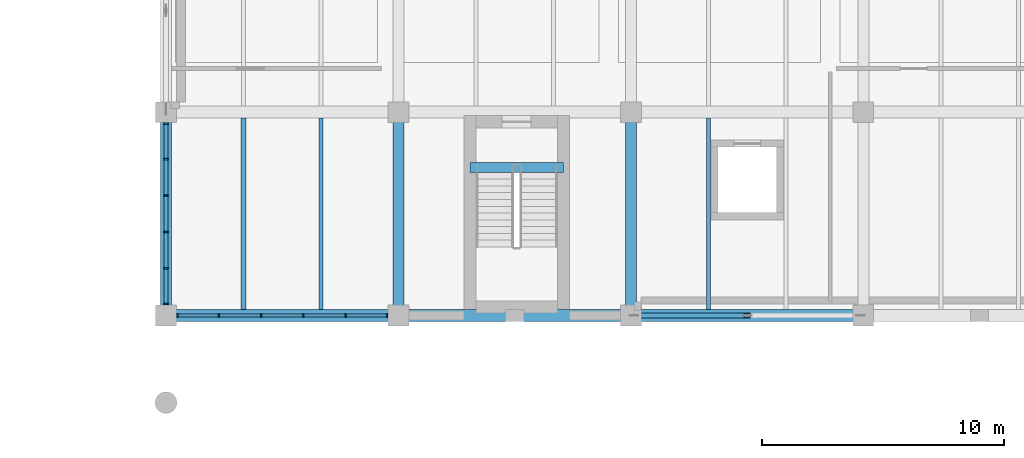
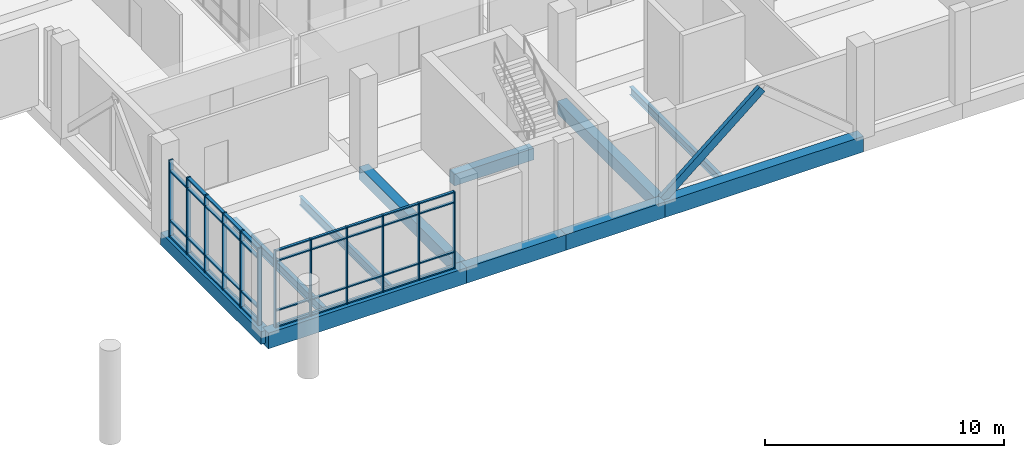
# One storey, part 42 of 152: 52 members, 11 beams, 2 elements without a shape of their own.
"""IFC4 building model written with IfcOpenShell, lengths in metres."""

from ifc_helpers import new_model, si_unit, direction, frame, origin, origin_2d, place, context, subcontext, project, spatial, rectangle, hollow_rectangle, i_section, extrude, material, material_profile, profile_set, type_object, element, aggregate, save


model = new_model("IFC4")

# Units and contexts
model_context = context("Model", 3, precision=1e-05, world=origin(), true_north=direction((0.0, 1.0)))
body_context = subcontext(model_context, "Body", "Model", "MODEL_VIEW")
ifc_project = project(units=[si_unit("LENGTHUNIT", "METRE"), si_unit("AREAUNIT", "SQUARE_METRE"), si_unit("VOLUMEUNIT", "CUBIC_METRE"), si_unit("PLANEANGLEUNIT", "RADIAN"), si_unit("MASSUNIT", "GRAM", prefix="KILO")], contexts=[model_context])

# Site, building, storey
site_placement = place(None, origin())
site = spatial("IfcSite", under=ifc_project, at=site_placement, CompositionType="ELEMENT")
building_placement = place(site_placement, origin())
building = spatial("IfcBuilding", under=site, at=building_placement, Name="Oolite Switchyard Hospital", CompositionType="ELEMENT")
storey_placement = place(building_placement, frame((0.0, 0.0, 5.10009765625)))
storey = spatial("IfcBuildingStorey", under=building, at=storey_placement, Name="L01", CompositionType="ELEMENT", Elevation=5.10009765625)

# Beams
ifc_material_1 = material(Name="Concrete C40/50", Category="concrete")
ifc_material_profile_1 = material_profile(ifc_material_1, rectangle(XDim=0.39990234375, YDim=0.60009765625, at=origin_2d()), Name="RCB400X600")
ifc_profile_set_1 = profile_set([ifc_material_profile_1], Name="Concrete C40/50")
beam_type_1 = type_object("IfcBeamType", Name="BM-RC400X600", PredefinedType="BEAM", material=ifc_profile_set_1)
beam_1_placement = place(storey_placement, frame((146.949951171875, 14.510009765625, -0.300048828125), z_axis=(1.0, 0.0, 0.0), x_axis=(0.0, 1.0, 0.0)))
element("IfcBeam", 1, at=beam_1_placement, inside=storey, type_object=beam_type_1, Name="L01 ST-05 Stair Throat Trimmer Beam", PredefinedType="BEAM", context=body_context, shape_type="SweptSolid", body=[
    extrude(rectangle(XDim=0.39990234375, YDim=0.60009765625, at=origin_2d()), origin(), (0.0, 0.0, 1.0), 3.860107421875),
])
ifc_material_profile_2 = material_profile(ifc_material_1, rectangle(XDim=0.449951171875, YDim=0.64990234375, at=origin_2d()), Name="RCB450X650")
ifc_profile_set_2 = profile_set([ifc_material_profile_2], Name="Concrete C40/50")
beam_type_2 = type_object("IfcBeamType", Name="BM-RC450X650", PredefinedType="BEAM", material=ifc_profile_set_2)
for number, where, z_axis, x_axis, name in (
    (2, (134.39990234375, 8.39990234375, -0.3251953125), (0.0, 1.0, 0.0), (-1.0, 0.0, 0.0), "L01 Y-Girder 444"),
    (3, (144.0, 8.39990234375, -0.3251953125), (0.0, 1.0, 0.0), (-1.0, 0.0, 0.0), "L01 Y-Girder 459"),
    (4, (153.60009765625, 8.39990234375, -0.3251953125), (0.0, 1.0, 0.0), (-1.0, 0.0, 0.0), "L01 Y-Girder 476"),
):
    element("IfcBeam", number, at=place(storey_placement, frame(where, z_axis=z_axis, x_axis=x_axis)), inside=storey, type_object=beam_type_2, Name=name, PredefinedType="BEAM", context=body_context, shape_type="SweptSolid", body=[
        extrude(rectangle(XDim=0.449951171875, YDim=0.64990234375, at=origin_2d()), origin(), (0.0, 0.0, 1.0), 8.400146484375),
    ])
ifc_material_profile_3 = material_profile(ifc_material_1, rectangle(XDim=0.5, YDim=0.800048828125, at=origin_2d()), Name="RCB500X800")
ifc_profile_set_3 = profile_set([ifc_material_profile_3], Name="Concrete C40/50")
beam_type_3 = type_object("IfcBeamType", Name="BM-RC500X800", PredefinedType="BEAM", material=ifc_profile_set_3)
beam_2_placement = place(storey_placement, frame((134.39990234375, 8.39990234375, -0.400146484375), z_axis=(1.0, 0.0, 0.0), x_axis=(0.0, 1.0, 0.0)))
element("IfcBeam", 5, at=beam_2_placement, inside=storey, type_object=beam_type_3, Name="L01 X-Girder 15", PredefinedType="BEAM", context=body_context, shape_type="SweptSolid", body=[
    extrude(rectangle(XDim=0.5, YDim=0.800048828125, at=origin_2d()), origin(), (0.0, 0.0, 1.0), 9.60009765625),
])
for number, where, z_axis, x_axis, name in (
    (6, (144.0, 8.39990234375, -0.400146484375), (1.0, 0.0, 0.0), (0.0, 1.0, 0.0), "L01 X-Girder 16"),
    (7, (148.800048828125, 8.39990234375, -0.400146484375), (1.0, 0.0, 0.0), (0.0, 1.0, 0.0), "L01 X-Girder 17"),
):
    element("IfcBeam", number, at=place(storey_placement, frame(where, z_axis=z_axis, x_axis=x_axis)), inside=storey, type_object=beam_type_3, Name=name, PredefinedType="BEAM", context=body_context, shape_type="SweptSolid", body=[
        extrude(rectangle(XDim=0.5, YDim=0.800048828125, at=origin_2d()), origin(), (0.0, 0.0, 1.0), 4.800048828125),
    ])
beam_3_placement = place(storey_placement, frame((153.60009765625, 8.39990234375, -0.400146484375), z_axis=(1.0, 0.0, 0.0), x_axis=(0.0, 1.0, 0.0)))
element("IfcBeam", 8, at=beam_3_placement, inside=storey, type_object=beam_type_3, Name="L01 X-Girder 18", PredefinedType="BEAM", context=body_context, shape_type="SweptSolid", body=[
    extrude(rectangle(XDim=0.5, YDim=0.800048828125, at=origin_2d()), origin(), (0.0, 0.0, 1.0), 9.599853515625),
])
ifc_material_2 = material(Name="Steel ASTM A992 Grade 50", Category="steel")
ifc_material_profile_4 = material_profile(ifc_material_2, i_section(OverallWidth=0.179931640625, OverallDepth=0.4130859375, WebThickness=0.010009765625, FlangeThickness=0.01611328125, at=origin_2d()), Name="W16X50")
ifc_profile_set_4 = profile_set([ifc_material_profile_4], Name="Steel ASTM A992 Grade 50")
beam_type_4 = type_object("IfcBeamType", Name="BM-W16X50", PredefinedType="JOIST", material=ifc_profile_set_4)
beam_4_placement = place(storey_placement, frame((156.800048828125, 8.64990234375, -0.482177734375), z_axis=(0.0, 1.0, 0.0), x_axis=(-1.0, 0.0, 0.0)))
element("IfcBeam", 9, at=beam_4_placement, inside=storey, type_object=beam_type_4, Name="L01 Secondary Steel Joist 872", PredefinedType="JOIST", context=body_context, shape_type="SweptSolid", body=[
    extrude(i_section(OverallWidth=0.179931640625, OverallDepth=0.4130859375, WebThickness=0.010009765625, FlangeThickness=0.01611328125, at=origin_2d()), origin(), (0.0, 0.0, 1.0), 7.900146484375),
])
ifc_material_profile_5 = material_profile(ifc_material_2, i_section(OverallWidth=0.153076171875, OverallDepth=0.455078125, WebThickness=0.008056640625, FlangeThickness=0.012939453125, at=origin_2d()), Name="W18X40")
ifc_profile_set_5 = profile_set([ifc_material_profile_5], Name="Steel ASTM A992 Grade 50")
beam_type_5 = type_object("IfcBeamType", Name="BM-W18X40", PredefinedType="JOIST", material=ifc_profile_set_5)
beam_5_placement = place(storey_placement, frame((140.800048828125, 8.64990234375, -0.503173828125), z_axis=(0.0, 1.0, 0.0), x_axis=(-1.0, 0.0, 0.0)))
element("IfcBeam", 10, at=beam_5_placement, inside=storey, type_object=beam_type_5, Name="L01 Secondary Steel Joist 823", PredefinedType="JOIST", context=body_context, shape_type="SweptSolid", body=[
    extrude(i_section(OverallWidth=0.153076171875, OverallDepth=0.455078125, WebThickness=0.008056640625, FlangeThickness=0.012939453125, at=origin_2d()), origin(), (0.0, 0.0, 1.0), 7.900146484375),
])
ifc_material_profile_6 = material_profile(ifc_material_2, i_section(OverallWidth=0.19091796875, OverallDepth=0.4599609375, WebThickness=0.010009765625, FlangeThickness=0.01611328125, at=origin_2d()), Name="W18X55")
ifc_profile_set_6 = profile_set([ifc_material_profile_6], Name="Steel ASTM A992 Grade 50")
beam_type_6 = type_object("IfcBeamType", Name="BM-W18X55", PredefinedType="JOIST", material=ifc_profile_set_6)
beam_6_placement = place(storey_placement, frame((137.60009765625, 8.64990234375, -0.505126953125), z_axis=(0.0, 1.0, 0.0), x_axis=(-1.0, 0.0, 0.0)))
element("IfcBeam", 11, at=beam_6_placement, inside=storey, type_object=beam_type_6, Name="L01 Secondary Steel Joist 822", PredefinedType="JOIST", context=body_context, shape_type="SweptSolid", body=[
    extrude(i_section(OverallWidth=0.19091796875, OverallDepth=0.4599609375, WebThickness=0.010009765625, FlangeThickness=0.01611328125, at=origin_2d()), origin(), (0.0, 0.0, 1.0), 7.900146484375),
])

# Curtain wall, members
ifc_material_3 = material(Name="Thermally broken aluminum frame with laminated impact glazing", Category="aluminium")
curtain_wall_type_1 = type_object("IfcCurtainWallType", Name="CW-UNIT-96X48", PredefinedType="USERDEFINED", material=ifc_material_3)
curtain_wall_1_placement = place(storey_placement, origin())
curtain_wall_1 = element("IfcCurtainWall", 12, at=curtain_wall_1_placement, inside=storey, type_object=curtain_wall_type_1, Name="L01 Unitised Curtain Wall 98", ObjectType="UNITISED", PredefinedType="USERDEFINED")
ifc_material_4 = material(Name="Aluminium 6063-T6", Category="aluminium")
ifc_material_profile_7 = material_profile(ifc_material_4, rectangle(XDim=0.159912109375, YDim=0.06005859375, at=origin_2d()), Name="CWM60X160")
ifc_profile_set_7 = profile_set([ifc_material_profile_7], Name="Aluminium 6063-T6")
member_type_1 = type_object("IfcMemberType", Name="CW-MUL-180", PredefinedType="MULLION", material=ifc_profile_set_7)
member_1_placement = place(storey_placement, frame((143.530029296875, 8.39990234375, 0.0), z_axis=(0.0, 0.0, 1.0), x_axis=(0.0, -1.0, 0.0)))
member_1 = element("IfcMember", 13, at=member_1_placement, type_object=member_type_1, Name="CW-02 mullion 1", PredefinedType="MULLION", context=body_context, shape_type="SweptSolid", body=[
    extrude(rectangle(XDim=0.159912109375, YDim=0.06005859375, at=origin_2d()), origin(), (0.0, 0.0, 1.0), 3.93994140625),
])
member_2_placement = place(storey_placement, frame((141.81591796875, 8.39990234375, 0.0), z_axis=(0.0, 0.0, 1.0), x_axis=(0.0, -1.0, 0.0)))
member_2 = element("IfcMember", 14, at=member_2_placement, type_object=member_type_1, Name="CW-02 mullion 2", PredefinedType="MULLION", context=body_context, shape_type="SweptSolid", body=[
    extrude(rectangle(XDim=0.159912109375, YDim=0.06005859375, at=origin_2d()), origin(), (0.0, 0.0, 1.0), 3.93994140625),
])
member_3_placement = place(storey_placement, frame((140.072021484375, 8.39990234375, 0.0), z_axis=(0.0, 0.0, 1.0), x_axis=(0.0, -1.0, 0.0)))
member_3 = element("IfcMember", 15, at=member_3_placement, type_object=member_type_1, Name="CW-02 mullion 3", PredefinedType="MULLION", context=body_context, shape_type="SweptSolid", body=[
    extrude(rectangle(XDim=0.159912109375, YDim=0.06005859375, at=origin_2d()), origin(), (0.0, 0.0, 1.0), 3.93994140625),
])
member_4_placement = place(storey_placement, frame((138.327880859375, 8.39990234375, 0.0), z_axis=(0.0, 0.0, 1.0), x_axis=(0.0, -1.0, 0.0)))
member_4 = element("IfcMember", 16, at=member_4_placement, type_object=member_type_1, Name="CW-02 mullion 4", PredefinedType="MULLION", context=body_context, shape_type="SweptSolid", body=[
    extrude(rectangle(XDim=0.159912109375, YDim=0.06005859375, at=origin_2d()), origin(), (0.0, 0.0, 1.0), 3.93994140625),
])
member_5_placement = place(storey_placement, frame((136.583984375, 8.39990234375, 0.0), z_axis=(0.0, 0.0, 1.0), x_axis=(0.0, -1.0, 0.0)))
member_5 = element("IfcMember", 17, at=member_5_placement, type_object=member_type_1, Name="CW-02 mullion 5", PredefinedType="MULLION", context=body_context, shape_type="SweptSolid", body=[
    extrude(rectangle(XDim=0.159912109375, YDim=0.06005859375, at=origin_2d()), origin(), (0.0, 0.0, 1.0), 3.93994140625),
])
member_6_placement = place(storey_placement, frame((134.8701171875, 8.39990234375, 0.0), z_axis=(0.0, 0.0, 1.0), x_axis=(0.0, -1.0, 0.0)))
member_6 = element("IfcMember", 18, at=member_6_placement, type_object=member_type_1, Name="CW-02 mullion 6", PredefinedType="MULLION", context=body_context, shape_type="SweptSolid", body=[
    extrude(rectangle(XDim=0.159912109375, YDim=0.06005859375, at=origin_2d()), origin(), (0.0, 0.0, 1.0), 3.93994140625),
])

curtain_wall_type_2 = type_object("IfcCurtainWallType", Name="CW-UNIT-84X48", PredefinedType="USERDEFINED", material=ifc_material_3)
curtain_wall_2_placement = place(storey_placement, origin())
curtain_wall_2 = element("IfcCurtainWall", 19, at=curtain_wall_2_placement, inside=storey, type_object=curtain_wall_type_2, Name="L01 Unitised Curtain Wall 187", ObjectType="UNITISED", PredefinedType="USERDEFINED")
ifc_material_profile_8 = material_profile(ifc_material_4, rectangle(XDim=0.199951171875, YDim=0.074951171875, at=origin_2d()), Name="CWM75X200")
ifc_profile_set_8 = profile_set([ifc_material_profile_8], Name="Aluminium 6063-T6")
member_type_2 = type_object("IfcMemberType", Name="CW-MUL-260", PredefinedType="MULLION", material=ifc_profile_set_8)
member_7_placement = place(storey_placement, frame((134.39990234375, 8.87744140625, 0.0), z_axis=(0.0, 0.0, 1.0), x_axis=(-1.0, 0.0, 0.0)))
member_7 = element("IfcMember", 20, at=member_7_placement, type_object=member_type_2, Name="CW-07 mullion 1", PredefinedType="MULLION", context=body_context, shape_type="SweptSolid", body=[
    extrude(rectangle(XDim=0.199951171875, YDim=0.074951171875, at=origin_2d()), origin(), (0.0, 0.0, 1.0), 3.93994140625),
])
member_8_placement = place(storey_placement, frame((134.39990234375, 10.343994140625, 0.0), z_axis=(0.0, 0.0, 1.0), x_axis=(-1.0, 0.0, 0.0)))
member_8 = element("IfcMember", 21, at=member_8_placement, type_object=member_type_2, Name="CW-07 mullion 2", PredefinedType="MULLION", context=body_context, shape_type="SweptSolid", body=[
    extrude(rectangle(XDim=0.199951171875, YDim=0.074951171875, at=origin_2d()), origin(), (0.0, 0.0, 1.0), 3.93994140625),
])
member_9_placement = place(storey_placement, frame((134.39990234375, 11.847900390625, 0.0), z_axis=(0.0, 0.0, 1.0), x_axis=(-1.0, 0.0, 0.0)))
member_9 = element("IfcMember", 22, at=member_9_placement, type_object=member_type_2, Name="CW-07 mullion 3", PredefinedType="MULLION", context=body_context, shape_type="SweptSolid", body=[
    extrude(rectangle(XDim=0.199951171875, YDim=0.074951171875, at=origin_2d()), origin(), (0.0, 0.0, 1.0), 3.93994140625),
])
member_10_placement = place(storey_placement, frame((134.39990234375, 13.35205078125, 0.0), z_axis=(0.0, 0.0, 1.0), x_axis=(-1.0, 0.0, 0.0)))
member_10 = element("IfcMember", 23, at=member_10_placement, type_object=member_type_2, Name="CW-07 mullion 4", PredefinedType="MULLION", context=body_context, shape_type="SweptSolid", body=[
    extrude(rectangle(XDim=0.199951171875, YDim=0.074951171875, at=origin_2d()), origin(), (0.0, 0.0, 1.0), 3.93994140625),
])
member_11_placement = place(storey_placement, frame((134.39990234375, 14.85595703125, 0.0), z_axis=(0.0, 0.0, 1.0), x_axis=(-1.0, 0.0, 0.0)))
member_11 = element("IfcMember", 24, at=member_11_placement, type_object=member_type_2, Name="CW-07 mullion 5", PredefinedType="MULLION", context=body_context, shape_type="SweptSolid", body=[
    extrude(rectangle(XDim=0.199951171875, YDim=0.074951171875, at=origin_2d()), origin(), (0.0, 0.0, 1.0), 3.93994140625),
])
member_12_placement = place(storey_placement, frame((134.39990234375, 16.322509765625, 0.0), z_axis=(0.0, 0.0, 1.0), x_axis=(-1.0, 0.0, 0.0)))
member_12 = element("IfcMember", 25, at=member_12_placement, type_object=member_type_2, Name="CW-07 mullion 6", PredefinedType="MULLION", context=body_context, shape_type="SweptSolid", body=[
    extrude(rectangle(XDim=0.199951171875, YDim=0.074951171875, at=origin_2d()), origin(), (0.0, 0.0, 1.0), 3.93994140625),
])

# Member
ifc_material_profile_9 = material_profile(ifc_material_4, rectangle(XDim=0.1201171875, YDim=0.06005859375, at=origin_2d()), Name="CWT60X120")
ifc_profile_set_9 = profile_set([ifc_material_profile_9], Name="Aluminium 6063-T6")
member_type_3 = type_object("IfcMemberType", Name="CW-TRN-150", PredefinedType="USERDEFINED", material=ifc_profile_set_9)
member_13_placement = place(storey_placement, frame((143.5, 8.39990234375, 0.02978515625), z_axis=(-1.0, 0.0, 0.0), x_axis=(0.0, -1.0, 0.0)))
member_13 = element("IfcMember", 26, at=member_13_placement, type_object=member_type_3, Name="CW-02 transom 1.1", ObjectType="TRANSOM", PredefinedType="USERDEFINED", context=body_context, shape_type="SweptSolid", body=[
    extrude(rectangle(XDim=0.1201171875, YDim=0.06005859375, at=origin_2d()), origin(), (0.0, 0.0, 1.0), 1.654052734375),
])

member_14_placement = place(storey_placement, frame((143.5, 8.39990234375, 0.849853515625), z_axis=(-1.0, 0.0, 0.0), x_axis=(0.0, -1.0, 0.0)))
member_14 = element("IfcMember", 27, at=member_14_placement, type_object=member_type_3, Name="CW-02 transom 1.2", ObjectType="TRANSOM", PredefinedType="USERDEFINED", context=body_context, shape_type="SweptSolid", body=[
    extrude(rectangle(XDim=0.1201171875, YDim=0.06005859375, at=origin_2d()), origin(), (0.0, 0.0, 1.0), 1.654052734375),
])

member_15_placement = place(storey_placement, frame((143.5, 8.39990234375, 3.389892578125), z_axis=(-1.0, 0.0, 0.0), x_axis=(0.0, -1.0, 0.0)))
member_15 = element("IfcMember", 28, at=member_15_placement, type_object=member_type_3, Name="CW-02 transom 1.3", ObjectType="TRANSOM", PredefinedType="USERDEFINED", context=body_context, shape_type="SweptSolid", body=[
    extrude(rectangle(XDim=0.1201171875, YDim=0.06005859375, at=origin_2d()), origin(), (0.0, 0.0, 1.0), 1.654052734375),
])

member_16_placement = place(storey_placement, frame((143.5, 8.39990234375, 3.909912109375), z_axis=(-1.0, 0.0, 0.0), x_axis=(0.0, -1.0, 0.0)))
member_16 = element("IfcMember", 29, at=member_16_placement, type_object=member_type_3, Name="CW-02 transom 1.4", ObjectType="TRANSOM", PredefinedType="USERDEFINED", context=body_context, shape_type="SweptSolid", body=[
    extrude(rectangle(XDim=0.1201171875, YDim=0.06005859375, at=origin_2d()), origin(), (0.0, 0.0, 1.0), 1.654052734375),
])

member_17_placement = place(storey_placement, frame((141.785888671875, 8.39990234375, 0.02978515625), z_axis=(-1.0, 0.0, 0.0), x_axis=(0.0, -1.0, 0.0)))
member_17 = element("IfcMember", 30, at=member_17_placement, type_object=member_type_3, Name="CW-02 transom 2.1", ObjectType="TRANSOM", PredefinedType="USERDEFINED", context=body_context, shape_type="SweptSolid", body=[
    extrude(rectangle(XDim=0.1201171875, YDim=0.06005859375, at=origin_2d()), origin(), (0.0, 0.0, 1.0), 1.683837890625),
])

member_18_placement = place(storey_placement, frame((141.785888671875, 8.39990234375, 0.849853515625), z_axis=(-1.0, 0.0, 0.0), x_axis=(0.0, -1.0, 0.0)))
member_18 = element("IfcMember", 31, at=member_18_placement, type_object=member_type_3, Name="CW-02 transom 2.2", ObjectType="TRANSOM", PredefinedType="USERDEFINED", context=body_context, shape_type="SweptSolid", body=[
    extrude(rectangle(XDim=0.1201171875, YDim=0.06005859375, at=origin_2d()), origin(), (0.0, 0.0, 1.0), 1.683837890625),
])

member_19_placement = place(storey_placement, frame((141.785888671875, 8.39990234375, 3.389892578125), z_axis=(-1.0, 0.0, 0.0), x_axis=(0.0, -1.0, 0.0)))
member_19 = element("IfcMember", 32, at=member_19_placement, type_object=member_type_3, Name="CW-02 transom 2.3", ObjectType="TRANSOM", PredefinedType="USERDEFINED", context=body_context, shape_type="SweptSolid", body=[
    extrude(rectangle(XDim=0.1201171875, YDim=0.06005859375, at=origin_2d()), origin(), (0.0, 0.0, 1.0), 1.683837890625),
])

member_20_placement = place(storey_placement, frame((141.785888671875, 8.39990234375, 3.909912109375), z_axis=(-1.0, 0.0, 0.0), x_axis=(0.0, -1.0, 0.0)))
member_20 = element("IfcMember", 33, at=member_20_placement, type_object=member_type_3, Name="CW-02 transom 2.4", ObjectType="TRANSOM", PredefinedType="USERDEFINED", context=body_context, shape_type="SweptSolid", body=[
    extrude(rectangle(XDim=0.1201171875, YDim=0.06005859375, at=origin_2d()), origin(), (0.0, 0.0, 1.0), 1.683837890625),
])

member_21_placement = place(storey_placement, frame((140.0419921875, 8.39990234375, 0.02978515625), z_axis=(-1.0, 0.0, 0.0), x_axis=(0.0, -1.0, 0.0)))
member_21 = element("IfcMember", 34, at=member_21_placement, type_object=member_type_3, Name="CW-02 transom 3.1", ObjectType="TRANSOM", PredefinedType="USERDEFINED", context=body_context, shape_type="SweptSolid", body=[
    extrude(rectangle(XDim=0.1201171875, YDim=0.06005859375, at=origin_2d()), origin(), (0.0, 0.0, 1.0), 1.68408203125),
])

member_22_placement = place(storey_placement, frame((140.0419921875, 8.39990234375, 0.849853515625), z_axis=(-1.0, 0.0, 0.0), x_axis=(0.0, -1.0, 0.0)))
member_22 = element("IfcMember", 35, at=member_22_placement, type_object=member_type_3, Name="CW-02 transom 3.2", ObjectType="TRANSOM", PredefinedType="USERDEFINED", context=body_context, shape_type="SweptSolid", body=[
    extrude(rectangle(XDim=0.1201171875, YDim=0.06005859375, at=origin_2d()), origin(), (0.0, 0.0, 1.0), 1.68408203125),
])

member_23_placement = place(storey_placement, frame((140.0419921875, 8.39990234375, 3.389892578125), z_axis=(-1.0, 0.0, 0.0), x_axis=(0.0, -1.0, 0.0)))
member_23 = element("IfcMember", 36, at=member_23_placement, type_object=member_type_3, Name="CW-02 transom 3.3", ObjectType="TRANSOM", PredefinedType="USERDEFINED", context=body_context, shape_type="SweptSolid", body=[
    extrude(rectangle(XDim=0.1201171875, YDim=0.06005859375, at=origin_2d()), origin(), (0.0, 0.0, 1.0), 1.68408203125),
])

member_24_placement = place(storey_placement, frame((140.0419921875, 8.39990234375, 3.909912109375), z_axis=(-1.0, 0.0, 0.0), x_axis=(0.0, -1.0, 0.0)))
member_24 = element("IfcMember", 37, at=member_24_placement, type_object=member_type_3, Name="CW-02 transom 3.4", ObjectType="TRANSOM", PredefinedType="USERDEFINED", context=body_context, shape_type="SweptSolid", body=[
    extrude(rectangle(XDim=0.1201171875, YDim=0.06005859375, at=origin_2d()), origin(), (0.0, 0.0, 1.0), 1.68408203125),
])

member_25_placement = place(storey_placement, frame((138.298095703125, 8.39990234375, 0.02978515625), z_axis=(-1.0, 0.0, 0.0), x_axis=(0.0, -1.0, 0.0)))
member_25 = element("IfcMember", 38, at=member_25_placement, type_object=member_type_3, Name="CW-02 transom 4.1", ObjectType="TRANSOM", PredefinedType="USERDEFINED", context=body_context, shape_type="SweptSolid", body=[
    extrude(rectangle(XDim=0.1201171875, YDim=0.06005859375, at=origin_2d()), origin(), (0.0, 0.0, 1.0), 1.68408203125),
])

member_26_placement = place(storey_placement, frame((138.298095703125, 8.39990234375, 0.849853515625), z_axis=(-1.0, 0.0, 0.0), x_axis=(0.0, -1.0, 0.0)))
member_26 = element("IfcMember", 39, at=member_26_placement, type_object=member_type_3, Name="CW-02 transom 4.2", ObjectType="TRANSOM", PredefinedType="USERDEFINED", context=body_context, shape_type="SweptSolid", body=[
    extrude(rectangle(XDim=0.1201171875, YDim=0.06005859375, at=origin_2d()), origin(), (0.0, 0.0, 1.0), 1.68408203125),
])

member_27_placement = place(storey_placement, frame((138.298095703125, 8.39990234375, 3.389892578125), z_axis=(-1.0, 0.0, 0.0), x_axis=(0.0, -1.0, 0.0)))
member_27 = element("IfcMember", 40, at=member_27_placement, type_object=member_type_3, Name="CW-02 transom 4.3", ObjectType="TRANSOM", PredefinedType="USERDEFINED", context=body_context, shape_type="SweptSolid", body=[
    extrude(rectangle(XDim=0.1201171875, YDim=0.06005859375, at=origin_2d()), origin(), (0.0, 0.0, 1.0), 1.68408203125),
])

member_28_placement = place(storey_placement, frame((138.298095703125, 8.39990234375, 3.909912109375), z_axis=(-1.0, 0.0, 0.0), x_axis=(0.0, -1.0, 0.0)))
member_28 = element("IfcMember", 41, at=member_28_placement, type_object=member_type_3, Name="CW-02 transom 4.4", ObjectType="TRANSOM", PredefinedType="USERDEFINED", context=body_context, shape_type="SweptSolid", body=[
    extrude(rectangle(XDim=0.1201171875, YDim=0.06005859375, at=origin_2d()), origin(), (0.0, 0.0, 1.0), 1.68408203125),
])

member_29_placement = place(storey_placement, frame((136.553955078125, 8.39990234375, 0.02978515625), z_axis=(-1.0, 0.0, 0.0), x_axis=(0.0, -1.0, 0.0)))
member_29 = element("IfcMember", 42, at=member_29_placement, type_object=member_type_3, Name="CW-02 transom 5.1", ObjectType="TRANSOM", PredefinedType="USERDEFINED", context=body_context, shape_type="SweptSolid", body=[
    extrude(rectangle(XDim=0.1201171875, YDim=0.06005859375, at=origin_2d()), origin(), (0.0, 0.0, 1.0), 1.654052734375),
])

member_30_placement = place(storey_placement, frame((136.553955078125, 8.39990234375, 0.849853515625), z_axis=(-1.0, 0.0, 0.0), x_axis=(0.0, -1.0, 0.0)))
member_30 = element("IfcMember", 43, at=member_30_placement, type_object=member_type_3, Name="CW-02 transom 5.2", ObjectType="TRANSOM", PredefinedType="USERDEFINED", context=body_context, shape_type="SweptSolid", body=[
    extrude(rectangle(XDim=0.1201171875, YDim=0.06005859375, at=origin_2d()), origin(), (0.0, 0.0, 1.0), 1.654052734375),
])

member_31_placement = place(storey_placement, frame((136.553955078125, 8.39990234375, 3.389892578125), z_axis=(-1.0, 0.0, 0.0), x_axis=(0.0, -1.0, 0.0)))
member_31 = element("IfcMember", 44, at=member_31_placement, type_object=member_type_3, Name="CW-02 transom 5.3", ObjectType="TRANSOM", PredefinedType="USERDEFINED", context=body_context, shape_type="SweptSolid", body=[
    extrude(rectangle(XDim=0.1201171875, YDim=0.06005859375, at=origin_2d()), origin(), (0.0, 0.0, 1.0), 1.654052734375),
])

member_32_placement = place(storey_placement, frame((136.553955078125, 8.39990234375, 3.909912109375), z_axis=(-1.0, 0.0, 0.0), x_axis=(0.0, -1.0, 0.0)))
member_32 = element("IfcMember", 45, at=member_32_placement, type_object=member_type_3, Name="CW-02 transom 5.4", ObjectType="TRANSOM", PredefinedType="USERDEFINED", context=body_context, shape_type="SweptSolid", body=[
    extrude(rectangle(XDim=0.1201171875, YDim=0.06005859375, at=origin_2d()), origin(), (0.0, 0.0, 1.0), 1.654052734375),
])

aggregate(curtain_wall_1, [member_1, member_2, member_3, member_4, member_5, member_6, member_13, member_14, member_15, member_16, member_17, member_18, member_19, member_20, member_21, member_22, member_23, member_24, member_25, member_26, member_27, member_28, member_29, member_30, member_31, member_32])

ifc_material_profile_10 = material_profile(ifc_material_4, rectangle(XDim=0.159912109375, YDim=0.074951171875, at=origin_2d()), Name="CWT75X160")
ifc_profile_set_10 = profile_set([ifc_material_profile_10], Name="Aluminium 6063-T6")
member_type_4 = type_object("IfcMemberType", Name="CW-TRN-180", PredefinedType="USERDEFINED", material=ifc_profile_set_10)
member_33_placement = place(storey_placement, frame((134.39990234375, 8.9150390625, 0.037353515625), z_axis=(0.0, 1.0, 0.0), x_axis=(-1.0, 0.0, 0.0)))
member_33 = element("IfcMember", 46, at=member_33_placement, type_object=member_type_4, Name="CW-07 transom 1.1", ObjectType="TRANSOM", PredefinedType="USERDEFINED", context=body_context, shape_type="SweptSolid", body=[
    extrude(rectangle(XDim=0.159912109375, YDim=0.074951171875, at=origin_2d()), origin(), (0.0, 0.0, 1.0), 1.391357421875),
])

member_34_placement = place(storey_placement, frame((134.39990234375, 8.9150390625, 0.849853515625), z_axis=(0.0, 1.0, 0.0), x_axis=(-1.0, 0.0, 0.0)))
member_34 = element("IfcMember", 47, at=member_34_placement, type_object=member_type_4, Name="CW-07 transom 1.2", ObjectType="TRANSOM", PredefinedType="USERDEFINED", context=body_context, shape_type="SweptSolid", body=[
    extrude(rectangle(XDim=0.159912109375, YDim=0.074951171875, at=origin_2d()), origin(), (0.0, 0.0, 1.0), 1.391357421875),
])

member_35_placement = place(storey_placement, frame((134.39990234375, 8.9150390625, 3.389892578125), z_axis=(0.0, 1.0, 0.0), x_axis=(-1.0, 0.0, 0.0)))
member_35 = element("IfcMember", 48, at=member_35_placement, type_object=member_type_4, Name="CW-07 transom 1.3", ObjectType="TRANSOM", PredefinedType="USERDEFINED", context=body_context, shape_type="SweptSolid", body=[
    extrude(rectangle(XDim=0.159912109375, YDim=0.074951171875, at=origin_2d()), origin(), (0.0, 0.0, 1.0), 1.391357421875),
])

member_36_placement = place(storey_placement, frame((134.39990234375, 8.9150390625, 3.90234375), z_axis=(0.0, 1.0, 0.0), x_axis=(-1.0, 0.0, 0.0)))
member_36 = element("IfcMember", 49, at=member_36_placement, type_object=member_type_4, Name="CW-07 transom 1.4", ObjectType="TRANSOM", PredefinedType="USERDEFINED", context=body_context, shape_type="SweptSolid", body=[
    extrude(rectangle(XDim=0.159912109375, YDim=0.074951171875, at=origin_2d()), origin(), (0.0, 0.0, 1.0), 1.391357421875),
])

member_37_placement = place(storey_placement, frame((134.39990234375, 10.381591796875, 0.037353515625), z_axis=(0.0, 1.0, 0.0), x_axis=(-1.0, 0.0, 0.0)))
member_37 = element("IfcMember", 50, at=member_37_placement, type_object=member_type_4, Name="CW-07 transom 2.1", ObjectType="TRANSOM", PredefinedType="USERDEFINED", context=body_context, shape_type="SweptSolid", body=[
    extrude(rectangle(XDim=0.159912109375, YDim=0.074951171875, at=origin_2d()), origin(), (0.0, 0.0, 1.0), 1.428955078125),
])

member_38_placement = place(storey_placement, frame((134.39990234375, 10.381591796875, 0.849853515625), z_axis=(0.0, 1.0, 0.0), x_axis=(-1.0, 0.0, 0.0)))
member_38 = element("IfcMember", 51, at=member_38_placement, type_object=member_type_4, Name="CW-07 transom 2.2", ObjectType="TRANSOM", PredefinedType="USERDEFINED", context=body_context, shape_type="SweptSolid", body=[
    extrude(rectangle(XDim=0.159912109375, YDim=0.074951171875, at=origin_2d()), origin(), (0.0, 0.0, 1.0), 1.428955078125),
])

member_39_placement = place(storey_placement, frame((134.39990234375, 10.381591796875, 3.389892578125), z_axis=(0.0, 1.0, 0.0), x_axis=(-1.0, 0.0, 0.0)))
member_39 = element("IfcMember", 52, at=member_39_placement, type_object=member_type_4, Name="CW-07 transom 2.3", ObjectType="TRANSOM", PredefinedType="USERDEFINED", context=body_context, shape_type="SweptSolid", body=[
    extrude(rectangle(XDim=0.159912109375, YDim=0.074951171875, at=origin_2d()), origin(), (0.0, 0.0, 1.0), 1.428955078125),
])

member_40_placement = place(storey_placement, frame((134.39990234375, 10.381591796875, 3.90234375), z_axis=(0.0, 1.0, 0.0), x_axis=(-1.0, 0.0, 0.0)))
member_40 = element("IfcMember", 53, at=member_40_placement, type_object=member_type_4, Name="CW-07 transom 2.4", ObjectType="TRANSOM", PredefinedType="USERDEFINED", context=body_context, shape_type="SweptSolid", body=[
    extrude(rectangle(XDim=0.159912109375, YDim=0.074951171875, at=origin_2d()), origin(), (0.0, 0.0, 1.0), 1.428955078125),
])

member_41_placement = place(storey_placement, frame((134.39990234375, 11.885498046875, 0.037353515625), z_axis=(0.0, 1.0, 0.0), x_axis=(-1.0, 0.0, 0.0)))
member_41 = element("IfcMember", 54, at=member_41_placement, type_object=member_type_4, Name="CW-07 transom 3.1", ObjectType="TRANSOM", PredefinedType="USERDEFINED", context=body_context, shape_type="SweptSolid", body=[
    extrude(rectangle(XDim=0.159912109375, YDim=0.074951171875, at=origin_2d()), origin(), (0.0, 0.0, 1.0), 1.428955078125),
])

member_42_placement = place(storey_placement, frame((134.39990234375, 11.885498046875, 0.849853515625), z_axis=(0.0, 1.0, 0.0), x_axis=(-1.0, 0.0, 0.0)))
member_42 = element("IfcMember", 55, at=member_42_placement, type_object=member_type_4, Name="CW-07 transom 3.2", ObjectType="TRANSOM", PredefinedType="USERDEFINED", context=body_context, shape_type="SweptSolid", body=[
    extrude(rectangle(XDim=0.159912109375, YDim=0.074951171875, at=origin_2d()), origin(), (0.0, 0.0, 1.0), 1.428955078125),
])

member_43_placement = place(storey_placement, frame((134.39990234375, 11.885498046875, 3.389892578125), z_axis=(0.0, 1.0, 0.0), x_axis=(-1.0, 0.0, 0.0)))
member_43 = element("IfcMember", 56, at=member_43_placement, type_object=member_type_4, Name="CW-07 transom 3.3", ObjectType="TRANSOM", PredefinedType="USERDEFINED", context=body_context, shape_type="SweptSolid", body=[
    extrude(rectangle(XDim=0.159912109375, YDim=0.074951171875, at=origin_2d()), origin(), (0.0, 0.0, 1.0), 1.428955078125),
])

member_44_placement = place(storey_placement, frame((134.39990234375, 11.885498046875, 3.90234375), z_axis=(0.0, 1.0, 0.0), x_axis=(-1.0, 0.0, 0.0)))
member_44 = element("IfcMember", 57, at=member_44_placement, type_object=member_type_4, Name="CW-07 transom 3.4", ObjectType="TRANSOM", PredefinedType="USERDEFINED", context=body_context, shape_type="SweptSolid", body=[
    extrude(rectangle(XDim=0.159912109375, YDim=0.074951171875, at=origin_2d()), origin(), (0.0, 0.0, 1.0), 1.428955078125),
])

member_45_placement = place(storey_placement, frame((134.39990234375, 13.389404296875, 0.037353515625), z_axis=(0.0, 1.0, 0.0), x_axis=(-1.0, 0.0, 0.0)))
member_45 = element("IfcMember", 58, at=member_45_placement, type_object=member_type_4, Name="CW-07 transom 4.1", ObjectType="TRANSOM", PredefinedType="USERDEFINED", context=body_context, shape_type="SweptSolid", body=[
    extrude(rectangle(XDim=0.159912109375, YDim=0.074951171875, at=origin_2d()), origin(), (0.0, 0.0, 1.0), 1.42919921875),
])

member_46_placement = place(storey_placement, frame((134.39990234375, 13.389404296875, 0.849853515625), z_axis=(0.0, 1.0, 0.0), x_axis=(-1.0, 0.0, 0.0)))
member_46 = element("IfcMember", 59, at=member_46_placement, type_object=member_type_4, Name="CW-07 transom 4.2", ObjectType="TRANSOM", PredefinedType="USERDEFINED", context=body_context, shape_type="SweptSolid", body=[
    extrude(rectangle(XDim=0.159912109375, YDim=0.074951171875, at=origin_2d()), origin(), (0.0, 0.0, 1.0), 1.42919921875),
])

member_47_placement = place(storey_placement, frame((134.39990234375, 13.389404296875, 3.389892578125), z_axis=(0.0, 1.0, 0.0), x_axis=(-1.0, 0.0, 0.0)))
member_47 = element("IfcMember", 60, at=member_47_placement, type_object=member_type_4, Name="CW-07 transom 4.3", ObjectType="TRANSOM", PredefinedType="USERDEFINED", context=body_context, shape_type="SweptSolid", body=[
    extrude(rectangle(XDim=0.159912109375, YDim=0.074951171875, at=origin_2d()), origin(), (0.0, 0.0, 1.0), 1.42919921875),
])

member_48_placement = place(storey_placement, frame((134.39990234375, 13.389404296875, 3.90234375), z_axis=(0.0, 1.0, 0.0), x_axis=(-1.0, 0.0, 0.0)))
member_48 = element("IfcMember", 61, at=member_48_placement, type_object=member_type_4, Name="CW-07 transom 4.4", ObjectType="TRANSOM", PredefinedType="USERDEFINED", context=body_context, shape_type="SweptSolid", body=[
    extrude(rectangle(XDim=0.159912109375, YDim=0.074951171875, at=origin_2d()), origin(), (0.0, 0.0, 1.0), 1.42919921875),
])

member_49_placement = place(storey_placement, frame((134.39990234375, 14.8935546875, 0.037353515625), z_axis=(0.0, 1.0, 0.0), x_axis=(-1.0, 0.0, 0.0)))
member_49 = element("IfcMember", 62, at=member_49_placement, type_object=member_type_4, Name="CW-07 transom 5.1", ObjectType="TRANSOM", PredefinedType="USERDEFINED", context=body_context, shape_type="SweptSolid", body=[
    extrude(rectangle(XDim=0.159912109375, YDim=0.074951171875, at=origin_2d()), origin(), (0.0, 0.0, 1.0), 1.391357421875),
])

member_50_placement = place(storey_placement, frame((134.39990234375, 14.8935546875, 0.849853515625), z_axis=(0.0, 1.0, 0.0), x_axis=(-1.0, 0.0, 0.0)))
member_50 = element("IfcMember", 63, at=member_50_placement, type_object=member_type_4, Name="CW-07 transom 5.2", ObjectType="TRANSOM", PredefinedType="USERDEFINED", context=body_context, shape_type="SweptSolid", body=[
    extrude(rectangle(XDim=0.159912109375, YDim=0.074951171875, at=origin_2d()), origin(), (0.0, 0.0, 1.0), 1.391357421875),
])

member_51_placement = place(storey_placement, frame((134.39990234375, 14.8935546875, 3.389892578125), z_axis=(0.0, 1.0, 0.0), x_axis=(-1.0, 0.0, 0.0)))
member_51 = element("IfcMember", 64, at=member_51_placement, type_object=member_type_4, Name="CW-07 transom 5.3", ObjectType="TRANSOM", PredefinedType="USERDEFINED", context=body_context, shape_type="SweptSolid", body=[
    extrude(rectangle(XDim=0.159912109375, YDim=0.074951171875, at=origin_2d()), origin(), (0.0, 0.0, 1.0), 1.391357421875),
])

aggregate(curtain_wall_2, [member_7, member_8, member_9, member_10, member_11, member_12, member_33, member_34, member_35, member_36, member_37, member_38, member_39, member_40, member_41, member_42, member_43, member_44, member_45, member_46, member_47, member_48, member_49, member_50, member_51])

ifc_material_5 = material(Name="Steel ASTM A500 Grade C", Category="steel")
ifc_material_profile_11 = material_profile(ifc_material_5, hollow_rectangle(XDim=0.202880859375, YDim=0.406005859375, WallThickness=0.012939453125, at=origin_2d()), Name="HSS406X203X13")
ifc_profile_set_11 = profile_set([ifc_material_profile_11], Name="Steel ASTM A500 Grade C")
member_type_5 = type_object("IfcMemberType", Name="MEM-BR-RHS406", PredefinedType="BRACE", material=ifc_profile_set_11)
member_52_placement = place(storey_placement, frame((153.60009765625, 8.39990234375, 0.02001953125), z_axis=(0.769785176277, 0.0, 0.638303049017), x_axis=(0.0, 1.0, 0.0)))
element("IfcMember", 65, at=member_52_placement, inside=storey, type_object=member_type_5, Name="L01 Chevron Brace 63", PredefinedType="BRACE", context=body_context, shape_type="SweptSolid", body=[
    extrude(hollow_rectangle(XDim=0.202880859375, YDim=0.406005859375, WallThickness=0.012939453125, at=origin_2d()), origin(), (0.0, 0.0, 1.0), 6.2353515625),
])

save(model, "model.ifc")
